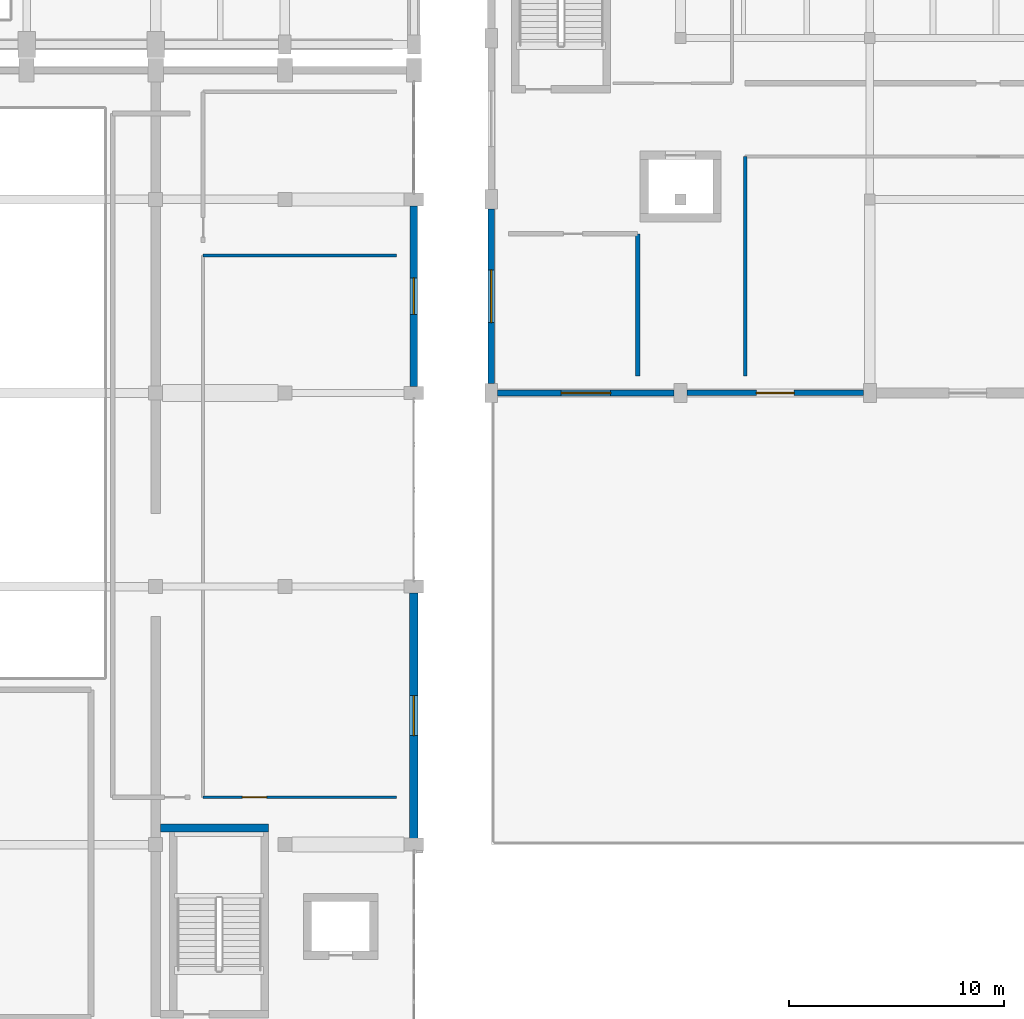
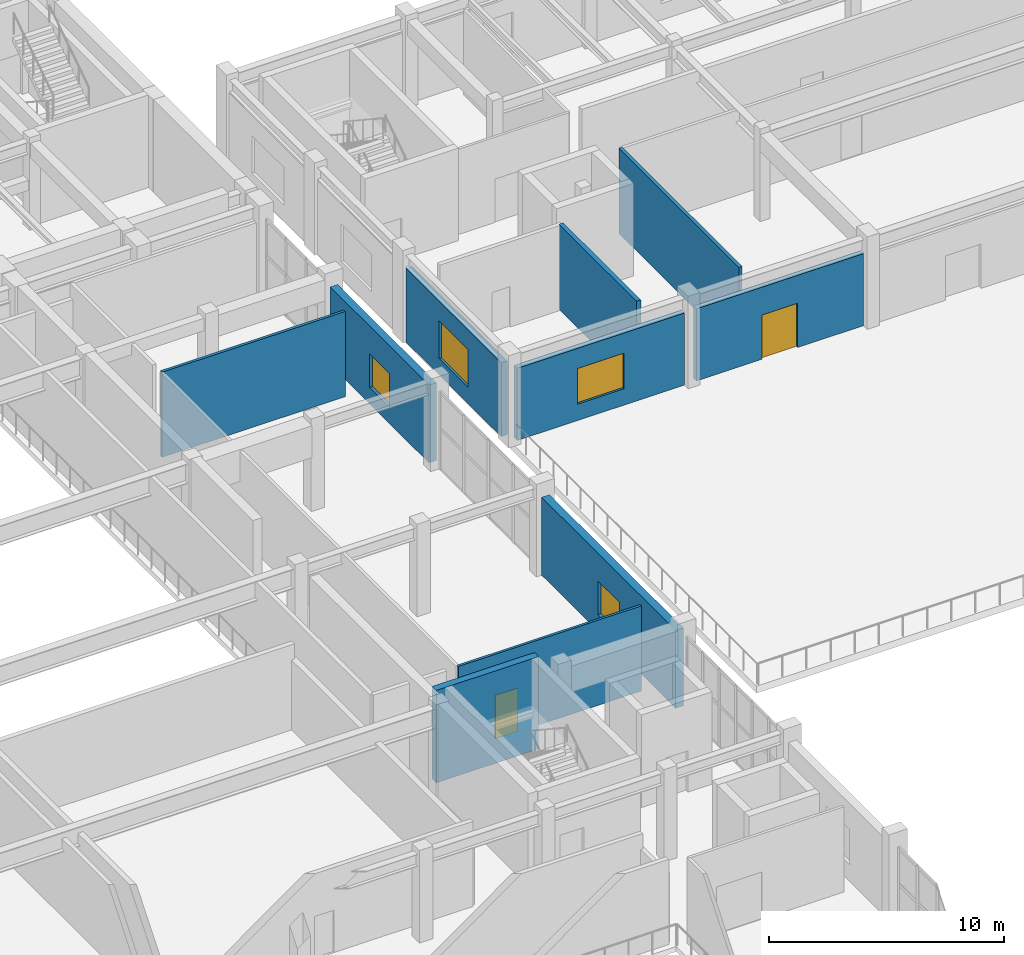
# One storey, part 42 of 62: 10 walls, 4 windows, 2 doors, 6 openings.
"""IFC4 building model written with IfcOpenShell, lengths in metres."""

from ifc_helpers import new_model, si_unit, direction, frame, frame_2d, origin, place, context, subcontext, project, spatial, rectangle, extrude, material, layer, layer_set, type_object, element, fill, save


model = new_model("IFC4")

# Units and contexts
model_context = context("Model", 3, precision=1e-05, world=origin(), true_north=direction((0.0, 1.0)))
body_context = subcontext(model_context, "Body", "Model", "MODEL_VIEW")
ifc_project = project(units=[si_unit("LENGTHUNIT", "METRE"), si_unit("AREAUNIT", "SQUARE_METRE"), si_unit("VOLUMEUNIT", "CUBIC_METRE"), si_unit("PLANEANGLEUNIT", "RADIAN"), si_unit("MASSUNIT", "GRAM", prefix="KILO")], contexts=[model_context])

# Site, building, storey
site_placement = place(None, origin())
site = spatial("IfcSite", under=ifc_project, at=site_placement, CompositionType="ELEMENT")
building_placement = place(site_placement, origin())
building = spatial("IfcBuilding", under=site, at=building_placement, Name="Vaelkrest Opera House", CompositionType="ELEMENT")
storey_placement = place(building_placement, frame((0.0, 0.0, 19.800048828125)))
storey = spatial("IfcBuildingStorey", under=building, at=storey_placement, Name="L04", CompositionType="ELEMENT", Elevation=19.800048828125)

# Wall, opening, door
ifc_material_1 = material(Name="Douglas fir glulam GL28h", Category="wood")
ifc_layer_1 = layer(ifc_material_1, 0.2548828125)
ifc_layer_set_1 = layer_set([ifc_layer_1], Name="Douglas fir glulam GL28h")
wall_type_1 = type_object("IfcWallType", Name="EW01", PredefinedType="STANDARD", material=ifc_layer_set_1)
wall_1_placement = place(storey_placement, frame((50.902099609375, 1.199951171875, 0.0), z_axis=(0.0, 0.0, 1.0), x_axis=(-1.0, 0.0, 0.0)))
wall_1 = element("IfcWall", 1, at=wall_1_placement, inside=storey, type_object=wall_type_1, Name="Exterior facade wall EW-V4-L04-0281", PredefinedType="STANDARD", context=body_context, shape_type="SweptSolid", body=[
    extrude(rectangle(XDim=8.2041015625, YDim=0.2548828125, at=frame_2d((4.10205078125, 0.0))), origin(), (0.0, 0.0, 1.0), 3.744873046875),
])
opening_1_placement = place(wall_1_placement, frame((3.22705078125, 0.0, 0.0)))
opening_1 = element("IfcOpeningElement", 2, at=opening_1_placement, cuts=wall_1, Name="Opening TD-V4-L04-2", PredefinedType="OPENING", context=body_context, shape_type="SweptSolid", body=[
    extrude(rectangle(XDim=1.75, YDim=2.300048828125, at=frame_2d((0.875, 1.14990234375))), frame((0.0, 0.137451171875, 0.0), z_axis=(0.0, -1.0, 0.0), x_axis=(1.0, 0.0, 0.0)), (0.0, 0.0, 1.0), 0.27490234375),
])
ifc_material_2 = material(Name="Dark bronze anodized aluminium", Category="aluminium")
door_type_1 = type_object("IfcDoorType", Name="EDT04", OperationType="DOUBLE_DOOR_SINGLE_SWING", PredefinedType="DOOR", material=ifc_material_2)
door_1_placement = place(opening_1_placement, origin())
door_1 = element("IfcDoor", 3, at=door_1_placement, inside=storey, type_object=door_type_1, Name="Exterior exit door TD-V4-L04-2", OperationType="DOUBLE_DOOR_SINGLE_SWING", OverallHeight=2.300048828125, OverallWidth=1.75, PredefinedType="DOOR", context=body_context, shape_type="SweptSolid", body=[
    extrude(rectangle(XDim=1.75, YDim=2.300048828125, at=frame_2d((0.875, 1.14990234375))), frame((0.0, 0.02490234375, 0.0), z_axis=(0.0, -1.0, 0.0), x_axis=(1.0, 0.0, 0.0)), (0.0, 0.0, 1.0), 0.050048828125),
])
fill(opening_1, door_1)

# Wall, opening, window
ifc_layer_2 = layer(ifc_material_1, 0.27490234375)
ifc_layer_set_2 = layer_set([ifc_layer_2], Name="Douglas fir glulam GL28h")
wall_type_2 = type_object("IfcWallType", Name="EW02", PredefinedType="STANDARD", material=ifc_layer_set_2)
wall_2_placement = place(storey_placement, frame((42.10205078125, 1.199951171875, 0.0), z_axis=(0.0, 0.0, 1.0), x_axis=(-1.0, 0.0, 0.0)))
wall_2 = element("IfcWall", 4, at=wall_2_placement, inside=storey, type_object=wall_type_2, Name="Exterior facade wall EW-V4-L04-0282", PredefinedType="STANDARD", context=body_context, shape_type="SweptSolid", body=[
    extrude(rectangle(XDim=8.2041015625, YDim=0.27490234375, at=frame_2d((4.10205078125, 0.0))), origin(), (0.0, 0.0, 1.0), 3.744873046875),
])
opening_2_placement = place(wall_2_placement, frame((2.951904296875, 0.0, 0.85009765625)))
opening_2 = element("IfcOpeningElement", 5, at=opening_2_placement, cuts=wall_2, Name="Opening WN165", PredefinedType="OPENING", context=body_context, shape_type="SweptSolid", body=[
    extrude(rectangle(XDim=2.300048828125, YDim=1.85009765625, at=frame_2d((1.14990234375, 0.925048828125))), frame((0.0, 0.1474609375, 0.0), z_axis=(0.0, -1.0, 0.0), x_axis=(1.0, 0.0, 0.0)), (0.0, 0.0, 1.0), 0.294921875),
])
ifc_material_3 = material(Name="Double low-E insulated glazing", Category="glass")
window_type_1 = type_object("IfcWindowType", Name="WT09", PartitioningType="SINGLE_PANEL", PredefinedType="WINDOW", material=ifc_material_3)
window_1_placement = place(opening_2_placement, origin())
window_1 = element("IfcWindow", 6, at=window_1_placement, inside=storey, type_object=window_type_1, Name="Facade window WN165", OverallHeight=1.85009765625, OverallWidth=2.300048828125, PartitioningType="SINGLE_PANEL", PredefinedType="WINDOW", context=body_context, shape_type="SweptSolid", body=[
    extrude(rectangle(XDim=2.300048828125, YDim=1.85009765625, at=frame_2d((1.14990234375, 0.925048828125))), frame((0.0, 0.030029296875, 0.0), z_axis=(0.0, -1.0, 0.0), x_axis=(1.0, 0.0, 0.0)), (0.0, 0.0, 1.0), 0.06005859375),
])
fill(opening_2, window_1)

ifc_layer_3 = layer(ifc_material_1, 0.294921875)
ifc_layer_set_3 = layer_set([ifc_layer_3], Name="Douglas fir glulam GL28h")
wall_type_3 = type_object("IfcWallType", Name="EW03", PredefinedType="STANDARD", material=ifc_layer_set_3)
wall_3_placement = place(storey_placement, frame((33.60009765625, 1.64794921875, 0.0), z_axis=(0.0, 0.0, 1.0), x_axis=(0.0, 1.0, 0.0)))
wall_3 = element("IfcWall", 7, at=wall_3_placement, inside=storey, type_object=wall_type_3, Name="Exterior facade wall EW-V4-L04-0283", PredefinedType="STANDARD", context=body_context, shape_type="SweptSolid", body=[
    extrude(rectangle(XDim=8.10400390625, YDim=0.294921875, at=frame_2d((4.052001953125, 0.0))), origin(), (0.0, 0.0, 1.0), 3.828857421875),
])
opening_3_placement = place(wall_3_placement, frame((2.826904296875, 0.0, 0.85009765625)))
opening_3 = element("IfcOpeningElement", 8, at=opening_3_placement, cuts=wall_3, Name="Opening WN166", PredefinedType="OPENING", context=body_context, shape_type="SweptSolid", body=[
    extrude(rectangle(XDim=2.449951171875, YDim=1.949951171875, at=frame_2d((1.22509765625, 0.97509765625))), frame((0.0, 0.157470703125, 0.0), z_axis=(0.0, -1.0, 0.0), x_axis=(1.0, 0.0, 0.0)), (0.0, 0.0, 1.0), 0.31494140625),
])
window_type_2 = type_object("IfcWindowType", Name="WT10", PartitioningType="SINGLE_PANEL", PredefinedType="WINDOW", material=ifc_material_3)
window_2_placement = place(opening_3_placement, origin())
window_2 = element("IfcWindow", 9, at=window_2_placement, inside=storey, type_object=window_type_2, Name="Facade window WN166", OverallHeight=1.949951171875, OverallWidth=2.449951171875, PartitioningType="SINGLE_PANEL", PredefinedType="WINDOW", context=body_context, shape_type="SweptSolid", body=[
    extrude(rectangle(XDim=2.449951171875, YDim=1.949951171875, at=frame_2d((1.22509765625, 0.97509765625))), frame((0.0, 0.030029296875, 0.0), z_axis=(0.0, -1.0, 0.0), x_axis=(1.0, 0.0, 0.0)), (0.0, 0.0, 1.0), 0.06005859375),
])
fill(opening_3, window_2)

ifc_material_4 = material(Name="American black walnut acoustic timber", Category="wood")
ifc_layer_4 = layer(ifc_material_4, 0.360107421875)
ifc_layer_set_4 = layer_set([ifc_layer_4], Name="American black walnut acoustic timber")
wall_type_4 = type_object("IfcWallType", Name="EW06", PredefinedType="STANDARD", material=ifc_layer_set_4)
wall_4_placement = place(storey_placement, frame((30.0, 9.902099609375, 0.0), z_axis=(0.0, 0.0, 1.0), x_axis=(0.0, -1.0, 0.0)))
wall_4 = element("IfcWall", 10, at=wall_4_placement, inside=storey, type_object=wall_type_4, Name="Exterior facade wall EW-V1-L04-0116", PredefinedType="STANDARD", context=body_context, shape_type="SweptSolid", body=[
    extrude(rectangle(XDim=8.404052734375, YDim=0.360107421875, at=frame_2d((4.2021484375, 0.0))), origin(), (0.0, 0.0, 1.0), 4.04296875),
])
opening_4_placement = place(wall_4_placement, frame((3.35205078125, 0.0, 0.85009765625)))
opening_4 = element("IfcOpeningElement", 11, at=opening_4_placement, cuts=wall_4, Name="Opening WN057", PredefinedType="OPENING", context=body_context, shape_type="SweptSolid", body=[
    extrude(rectangle(XDim=1.699951171875, YDim=1.75, at=frame_2d((0.85009765625, 0.875))), frame((0.0, 0.18994140625, 0.0), z_axis=(0.0, -1.0, 0.0), x_axis=(1.0, 0.0, 0.0)), (0.0, 0.0, 1.0), 0.380126953125),
])
window_type_3 = type_object("IfcWindowType", Name="WT05", PartitioningType="SINGLE_PANEL", PredefinedType="WINDOW", material=ifc_material_3)
window_3_placement = place(opening_4_placement, origin())
window_3 = element("IfcWindow", 12, at=window_3_placement, inside=storey, type_object=window_type_3, Name="Facade window WN057", OverallHeight=1.75, OverallWidth=1.699951171875, PartitioningType="SINGLE_PANEL", PredefinedType="WINDOW", context=body_context, shape_type="SweptSolid", body=[
    extrude(rectangle(XDim=1.699951171875, YDim=1.75, at=frame_2d((0.85009765625, 0.875))), frame((0.0, 0.030029296875, 0.0), z_axis=(0.0, -1.0, 0.0), x_axis=(1.0, 0.0, 0.0)), (0.0, 0.0, 1.0), 0.06005859375),
])
fill(opening_4, window_3)

ifc_material_5 = material(Name="Concrete C40/50", Category="concrete")
ifc_layer_5 = layer(ifc_material_5, 0.385009765625)
ifc_layer_set_5 = layer_set([ifc_layer_5], Name="Concrete C40/50")
wall_type_5 = type_object("IfcWallType", Name="EW07", PredefinedType="STANDARD", material=ifc_layer_set_5)
wall_5_placement = place(storey_placement, frame((30.0, -8.097900390625, 0.0), z_axis=(0.0, 0.0, 1.0), x_axis=(0.0, -1.0, 0.0)))
wall_5 = element("IfcWall", 13, at=wall_5_placement, inside=storey, type_object=wall_type_5, Name="Exterior facade wall EW-V1-L04-0117", PredefinedType="STANDARD", context=body_context, shape_type="SweptSolid", body=[
    extrude(rectangle(XDim=11.404052734375, YDim=0.385009765625, at=frame_2d((5.7021484375, 0.0))), origin(), (0.0, 0.0, 1.0), 4.04296875),
])
opening_5_placement = place(wall_5_placement, frame((4.777099609375, 0.0, 0.85009765625)))
opening_5 = element("IfcOpeningElement", 14, at=opening_5_placement, cuts=wall_5, Name="Opening WN058", PredefinedType="OPENING", context=body_context, shape_type="SweptSolid", body=[
    extrude(rectangle(XDim=1.85009765625, YDim=1.75, at=frame_2d((0.925048828125, 0.875))), frame((0.0, 0.202392578125, 0.0), z_axis=(0.0, -1.0, 0.0), x_axis=(1.0, 0.0, 0.0)), (0.0, 0.0, 1.0), 0.405029296875),
])
window_type_4 = type_object("IfcWindowType", Name="WT06", PartitioningType="SINGLE_PANEL", PredefinedType="WINDOW", material=ifc_material_3)
window_4_placement = place(opening_5_placement, origin())
window_4 = element("IfcWindow", 15, at=window_4_placement, inside=storey, type_object=window_type_4, Name="Facade window WN058", OverallHeight=1.75, OverallWidth=1.85009765625, PartitioningType="SINGLE_PANEL", PredefinedType="WINDOW", context=body_context, shape_type="SweptSolid", body=[
    extrude(rectangle(XDim=1.85009765625, YDim=1.75, at=frame_2d((0.925048828125, 0.875))), frame((0.0, 0.030029296875, 0.0), z_axis=(0.0, -1.0, 0.0), x_axis=(1.0, 0.0, 0.0)), (0.0, 0.0, 1.0), 0.06005859375),
])
fill(opening_5, window_4)

# Wall, opening, door
ifc_material_6 = material(Name="Gypsum acoustic board", Category="gypsum")
ifc_layer_6 = layer(ifc_material_6, 0.1201171875)
ifc_layer_set_6 = layer_set([ifc_layer_6], Name="Gypsum acoustic board")
wall_type_6 = type_object("IfcWallType", Name="PT01", PredefinedType="PARTITIONING", material=ifc_layer_set_6)
wall_6_placement = place(storey_placement, frame((20.199951171875, -17.60009765625, 0.0), z_axis=(0.0, 0.0, 1.0), x_axis=(1.0, 0.0, 0.0)))
wall_6 = element("IfcWall", 16, at=wall_6_placement, inside=storey, type_object=wall_type_6, Name="Interior partition PT-V1-L04-0113", PredefinedType="PARTITIONING", context=body_context, shape_type="SweptSolid", body=[
    extrude(rectangle(XDim=9.0, YDim=0.1201171875, at=frame_2d((4.5, 0.0))), origin(), (0.0, 0.0, 1.0), 4.419921875),
])
opening_6_placement = place(wall_6_placement, frame((1.8310546875, 0.0, 0.0)))
opening_6 = element("IfcOpeningElement", 17, at=opening_6_placement, cuts=wall_6, Name="Opening D044", PredefinedType="OPENING", context=body_context, shape_type="SweptSolid", body=[
    extrude(rectangle(XDim=1.1201171875, YDim=2.25, at=frame_2d((0.56005859375, 1.125))), frame((0.0, 0.070068359375, 0.0), z_axis=(0.0, -1.0, 0.0), x_axis=(1.0, 0.0, 0.0)), (0.0, 0.0, 1.0), 0.14013671875),
])
door_type_2 = type_object("IfcDoorType", Name="DT23", OperationType="NOTDEFINED", PredefinedType="DOOR", material=ifc_material_4)
door_2_placement = place(opening_6_placement, origin())
door_2 = element("IfcDoor", 18, at=door_2_placement, inside=storey, type_object=door_type_2, Name="Interior door D044 (Follow-Spot Technical Gallery)", OperationType="SINGLE_SWING_LEFT", OverallHeight=2.25, OverallWidth=1.1201171875, PredefinedType="DOOR", context=body_context, shape_type="SweptSolid", body=[
    extrude(rectangle(XDim=1.1201171875, YDim=2.25, at=frame_2d((0.56005859375, 1.125))), frame((0.0, 0.02490234375, 0.0), z_axis=(0.0, -1.0, 0.0), x_axis=(1.0, 0.0, 0.0)), (0.0, 0.0, 1.0), 0.050048828125),
])
fill(opening_6, door_2)

# Walls
ifc_layer_7 = layer(ifc_material_6, 0.135009765625)
ifc_layer_set_7 = layer_set([ifc_layer_7], Name="Gypsum acoustic board")
wall_type_7 = type_object("IfcWallType", Name="PT02", PredefinedType="PARTITIONING", material=ifc_layer_set_7)
wall_7_placement = place(storey_placement, frame((20.199951171875, 7.60009765625, 0.0), z_axis=(0.0, 0.0, 1.0), x_axis=(1.0, 0.0, 0.0)))
element("IfcWall", 19, at=wall_7_placement, inside=storey, type_object=wall_type_7, Name="Interior partition PT-V1-L04-0114", PredefinedType="PARTITIONING", context=body_context, shape_type="SweptSolid", body=[
    extrude(rectangle(XDim=9.0, YDim=0.135009765625, at=frame_2d((4.5, 0.0))), origin(), (0.0, 0.0, 1.0), 4.419921875),
])
ifc_layer_8 = layer(ifc_material_6, 0.1650390625)
ifc_layer_set_8 = layer_set([ifc_layer_8], Name="Gypsum acoustic board")
wall_type_8 = type_object("IfcWallType", Name="PT04", PredefinedType="PARTITIONING", material=ifc_layer_set_8)
wall_8_placement = place(storey_placement, frame((45.39990234375, 2.0, 0.0), z_axis=(0.0, 0.0, 1.0), x_axis=(0.0, 1.0, 0.0)))
element("IfcWall", 20, at=wall_8_placement, inside=storey, type_object=wall_type_8, Name="Interior partition PT-V4-L04-0396", PredefinedType="PARTITIONING", context=body_context, shape_type="SweptSolid", body=[
    extrude(rectangle(XDim=10.199951171875, YDim=0.1650390625, at=frame_2d((5.10009765625, 0.0))), origin(), (0.0, 0.0, 1.0), 4.419921875),
])
ifc_layer_9 = layer(ifc_material_4, 0.2099609375)
ifc_layer_set_9 = layer_set([ifc_layer_9], Name="American black walnut acoustic timber")
wall_type_9 = type_object("IfcWallType", Name="PT07", PredefinedType="PARTITIONING", material=ifc_layer_set_9)
wall_9_placement = place(storey_placement, frame((40.39990234375, 2.0, 0.0), z_axis=(0.0, 0.0, 1.0), x_axis=(0.0, 1.0, 0.0)))
element("IfcWall", 21, at=wall_9_placement, inside=storey, type_object=wall_type_9, Name="Interior partition PT-V4-L04-0399", PredefinedType="PARTITIONING", context=body_context, shape_type="SweptSolid", body=[
    extrude(rectangle(XDim=6.60009765625, YDim=0.2099609375, at=frame_2d((3.300048828125, 0.0))), origin(), (0.0, 0.0, 1.0), 4.419921875),
])
ifc_material_7 = material(Name="Concrete C50/60", Category="concrete")
ifc_layer_10 = layer(ifc_material_7, 0.35009765625)
ifc_layer_set_10 = layer_set([ifc_layer_10], Name="Concrete C50/60")
wall_type_10 = type_object("IfcWallType", Name="SW01", PredefinedType="SHEAR", material=ifc_layer_set_10)
wall_10_placement = place(storey_placement, frame((18.22509765625, -19.02490234375, 0.0), z_axis=(0.0, 0.0, 1.0), x_axis=(1.0, 0.0, 0.0)))
element("IfcWall", 22, at=wall_10_placement, inside=storey, type_object=wall_type_10, Name="Stair core ST02 wall L04 N", PredefinedType="SHEAR", context=body_context, shape_type="SweptSolid", body=[
    extrude(rectangle(XDim=5.02490234375, YDim=0.35009765625, at=frame_2d((2.512451171875, 0.0))), origin(), (0.0, 0.0, 1.0), 4.800048828125),
])

save(model, "model.ifc")
